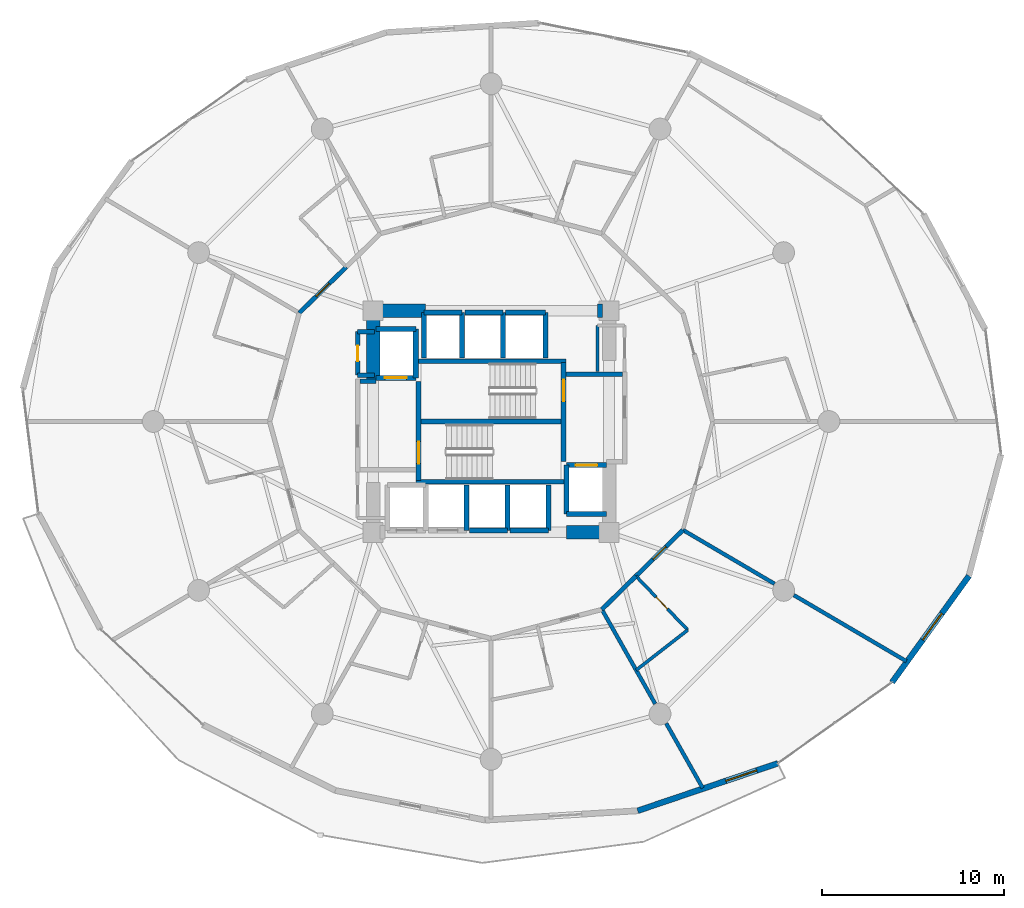
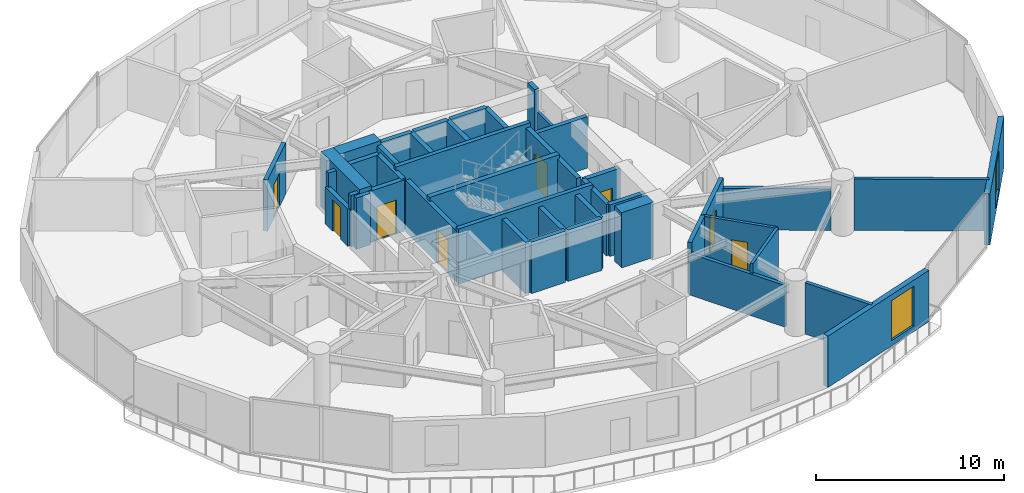
# One storey, part 21 of 26: 44 walls, 8 doors, 2 windows, 10 openings.
"""IFC4 building model written with IfcOpenShell, lengths in metres."""

from ifc_helpers import new_model, si_unit, direction, frame, frame_2d, origin, place, context, subcontext, project, spatial, rectangle, extrude, material, layer, layer_set, type_object, element, fill, save


model = new_model("IFC4")

# Units and contexts
model_context = context("Model", 3, precision=1e-05, world=origin(), true_north=direction((0.0, 1.0)))
body_context = subcontext(model_context, "Body", "Model", "MODEL_VIEW")
ifc_project = project(units=[si_unit("LENGTHUNIT", "METRE"), si_unit("AREAUNIT", "SQUARE_METRE"), si_unit("VOLUMEUNIT", "CUBIC_METRE"), si_unit("PLANEANGLEUNIT", "RADIAN"), si_unit("MASSUNIT", "GRAM", prefix="KILO")], contexts=[model_context])

# Site, building, storey
site_placement = place(None, origin())
site = spatial("IfcSite", under=ifc_project, at=site_placement, CompositionType="ELEMENT")
building_placement = place(site_placement, origin())
building = spatial("IfcBuilding", under=site, at=building_placement, Name="Solvirekh Grand Hotel", CompositionType="ELEMENT")
storey_placement = place(building_placement, frame((0.0, 0.0, 35.60009765625)))
storey = spatial("IfcBuildingStorey", under=building, at=storey_placement, Name="L07", CompositionType="ELEMENT", Elevation=35.60009765625)

# Walls
ifc_material_1 = material(Name="Concrete C50/60", Category="concrete")
ifc_layer_1 = layer(ifc_material_1, 0.35009765625)
ifc_layer_set_1 = layer_set([ifc_layer_1], Name="Concrete C50/60")
wall_type_1 = type_object("IfcWallType", Name="CoreDivWall_RC350", PredefinedType="SOLIDWALL", material=ifc_layer_set_1)
for number, where, z_axis, x_axis, name in (
    (1, (-4.1298828125, -3.324951171875, 0.0), (0.0, 0.0, 1.0), (1.0, 0.0, 0.0), "L07 core stair box wall ST-S"),
    (2, (-4.1298828125, 3.324951171875, 0.0), (0.0, 0.0, 1.0), (1.0, 0.0, 0.0), "L07 core stair box wall ST-N"),
):
    element("IfcWall", number, at=place(storey_placement, frame(where, z_axis=z_axis, x_axis=x_axis)), inside=storey, type_object=wall_type_1, Name=name, PredefinedType="SOLIDWALL", context=body_context, shape_type="SweptSolid", body=[
        extrude(rectangle(XDim=8.259765625, YDim=0.25, at=frame_2d((4.1298828125, 0.0))), origin(), (0.0, 0.0, 1.0), 3.599853515625),
    ])
ifc_material_2 = material(Name="Concrete C40/50", Category="concrete")
ifc_layer_2 = layer(ifc_material_2, 0.280029296875)
ifc_layer_set_2 = layer_set([ifc_layer_2], Name="Concrete C40/50")
wall_type_2 = type_object("IfcWallType", Name="CoreShaftWall_RC280", PredefinedType="SOLIDWALL", material=ifc_layer_set_2)
wall_1_placement = place(storey_placement, frame((-1.35009765625, -6.0, 0.0), z_axis=(0.0, 0.0, 1.0), x_axis=(0.0, 1.0, 0.0)))
element("IfcWall", 3, at=wall_1_placement, inside=storey, type_object=wall_type_2, Name="L07 LP-2 hoistway E wall", PredefinedType="SOLIDWALL", context=body_context, shape_type="SweptSolid", body=[
    extrude(rectangle(XDim=2.5, YDim=0.280029296875, at=frame_2d((1.25, 0.0))), origin(), (0.0, 0.0, 1.0), 3.33984375),
])
wall_2_placement = place(storey_placement, frame((-1.199951171875, -6.0, 0.0), z_axis=(0.0, 0.0, 1.0), x_axis=(1.0, 0.0, 0.0)))
element("IfcWall", 4, at=wall_2_placement, inside=storey, type_object=wall_type_2, Name="L07 MP-1 hoistway S wall", PredefinedType="SOLIDWALL", context=body_context, shape_type="SweptSolid", body=[
    extrude(rectangle(XDim=2.099853515625, YDim=0.280029296875, at=frame_2d((1.0498046875, 0.0))), origin(), (0.0, 0.0, 1.0), 3.33984375),
])
wall_3_placement = place(storey_placement, frame((0.89990234375, -6.0, 0.0), z_axis=(0.0, 0.0, 1.0), x_axis=(0.0, 1.0, 0.0)))
element("IfcWall", 5, at=wall_3_placement, inside=storey, type_object=wall_type_2, Name="L07 MP-1 hoistway E wall", PredefinedType="SOLIDWALL", context=body_context, shape_type="SweptSolid", body=[
    extrude(rectangle(XDim=2.5, YDim=0.280029296875, at=frame_2d((1.25, 0.0))), origin(), (0.0, 0.0, 1.0), 3.33984375),
])
wall_4_placement = place(storey_placement, frame((1.050048828125, -6.0, 0.0), z_axis=(0.0, 0.0, 1.0), x_axis=(1.0, 0.0, 0.0)))
element("IfcWall", 6, at=wall_4_placement, inside=storey, type_object=wall_type_2, Name="L07 MP-2 hoistway S wall", PredefinedType="SOLIDWALL", context=body_context, shape_type="SweptSolid", body=[
    extrude(rectangle(XDim=2.099853515625, YDim=0.280029296875, at=frame_2d((1.0498046875, 0.0))), origin(), (0.0, 0.0, 1.0), 3.33984375),
])
wall_5_placement = place(storey_placement, frame((3.14990234375, -6.0, 0.0), z_axis=(0.0, 0.0, 1.0), x_axis=(0.0, 1.0, 0.0)))
element("IfcWall", 7, at=wall_5_placement, inside=storey, type_object=wall_type_2, Name="L07 MP-2 hoistway E wall", PredefinedType="SOLIDWALL", context=body_context, shape_type="SweptSolid", body=[
    extrude(rectangle(XDim=2.5, YDim=0.280029296875, at=frame_2d((1.25, 0.0))), origin(), (0.0, 0.0, 1.0), 3.33984375),
])
wall_6_placement = place(storey_placement, frame((-1.60009765625, 6.0, 0.0), z_axis=(0.0, 0.0, 1.0), x_axis=(-1.0, 0.0, 0.0)))
element("IfcWall", 8, at=wall_6_placement, inside=storey, type_object=wall_type_2, Name="L07 HP-1 hoistway N wall", PredefinedType="SOLIDWALL", context=body_context, shape_type="SweptSolid", body=[
    extrude(rectangle(XDim=2.099853515625, YDim=0.280029296875, at=frame_2d((1.0498046875, 0.0))), origin(), (0.0, 0.0, 1.0), 3.33984375),
])
for number, where, z_axis, x_axis, name in (
    (9, (-3.699951171875, 6.0, 0.0), (0.0, 0.0, 1.0), (0.0, -1.0, 0.0), "L07 HP-1 hoistway W wall"),
    (10, (-1.60009765625, 3.5, 0.0), (0.0, 0.0, 1.0), (0.0, 1.0, 0.0), "L07 HP-1 hoistway E wall"),
):
    element("IfcWall", number, at=place(storey_placement, frame(where, z_axis=z_axis, x_axis=x_axis)), inside=storey, type_object=wall_type_2, Name=name, PredefinedType="SOLIDWALL", context=body_context, shape_type="SweptSolid", body=[
        extrude(rectangle(XDim=2.5, YDim=0.280029296875, at=frame_2d((1.25, 0.0))), origin(), (0.0, 0.0, 1.0), 3.33984375),
    ])
wall_7_placement = place(storey_placement, frame((0.64990234375, 6.0, 0.0), z_axis=(0.0, 0.0, 1.0), x_axis=(-1.0, 0.0, 0.0)))
element("IfcWall", 11, at=wall_7_placement, inside=storey, type_object=wall_type_2, Name="L07 HP-2 hoistway N wall", PredefinedType="SOLIDWALL", context=body_context, shape_type="SweptSolid", body=[
    extrude(rectangle(XDim=2.099853515625, YDim=0.280029296875, at=frame_2d((1.0498046875, 0.0))), origin(), (0.0, 0.0, 1.0), 3.33984375),
])
wall_8_placement = place(storey_placement, frame((0.64990234375, 3.5, 0.0), z_axis=(0.0, 0.0, 1.0), x_axis=(0.0, 1.0, 0.0)))
element("IfcWall", 12, at=wall_8_placement, inside=storey, type_object=wall_type_2, Name="L07 HP-2 hoistway E wall", PredefinedType="SOLIDWALL", context=body_context, shape_type="SweptSolid", body=[
    extrude(rectangle(XDim=2.5, YDim=0.280029296875, at=frame_2d((1.25, 0.0))), origin(), (0.0, 0.0, 1.0), 3.33984375),
])
wall_9_placement = place(storey_placement, frame((3.0, 6.0, 0.0), z_axis=(0.0, 0.0, 1.0), x_axis=(-1.0, 0.0, 0.0)))
element("IfcWall", 13, at=wall_9_placement, inside=storey, type_object=wall_type_2, Name="L07 EX-1 hoistway N wall", PredefinedType="SOLIDWALL", context=body_context, shape_type="SweptSolid", body=[
    extrude(rectangle(XDim=2.199951171875, YDim=0.280029296875, at=frame_2d((1.10009765625, 0.0))), origin(), (0.0, 0.0, 1.0), 3.33984375),
])
wall_10_placement = place(storey_placement, frame((3.0, 3.5, 0.0), z_axis=(0.0, 0.0, 1.0), x_axis=(0.0, 1.0, 0.0)))
element("IfcWall", 14, at=wall_10_placement, inside=storey, type_object=wall_type_2, Name="L07 EX-1 hoistway E wall", PredefinedType="SOLIDWALL", context=body_context, shape_type="SweptSolid", body=[
    extrude(rectangle(XDim=2.5, YDim=0.280029296875, at=frame_2d((1.25, 0.0))), origin(), (0.0, 0.0, 1.0), 3.33984375),
])

# Wall, opening, door
wall_11_placement = place(storey_placement, frame((-6.35009765625, 2.39990234375, 0.0), z_axis=(0.0, 0.0, 1.0), x_axis=(1.0, 0.0, 0.0)))
wall_11 = element("IfcWall", 15, at=wall_11_placement, inside=storey, type_object=wall_type_2, Name="L07 FL-1 hoistway S wall", PredefinedType="SOLIDWALL", context=body_context, shape_type="SweptSolid", body=[
    extrude(rectangle(XDim=2.2001953125, YDim=0.280029296875, at=frame_2d((1.10009765625, 0.0))), origin(), (0.0, 0.0, 1.0), 3.33984375),
])
opening_1_placement = place(wall_11_placement, frame((0.5, 0.0, 0.0)))
opening_1 = element("IfcOpeningElement", 16, at=opening_1_placement, cuts=wall_11, Name="Opening LD02", PredefinedType="OPENING", context=body_context, shape_type="SweptSolid", body=[
    extrude(rectangle(XDim=1.199951171875, YDim=2.199951171875, at=frame_2d((0.60009765625, 1.10009765625))), frame((0.0, 0.14990234375, 0.0), z_axis=(0.0, -1.0, 0.0), x_axis=(1.0, 0.0, 0.0)), (0.0, 0.0, 1.0), 0.300048828125),
])
ifc_material_3 = material(Name="Fire-Rated Steel Door Assembly", Category="steel")
door_type_1 = type_object("IfcDoorType", Name="Door_LiftFF_1200X2200", OperationType="SLIDING_TO_LEFT", PredefinedType="DOOR", material=ifc_material_3)
door_1_placement = place(opening_1_placement, origin())
door_1 = element("IfcDoor", 17, at=door_1_placement, inside=storey, type_object=door_type_1, Name="L07 FL-1 sliding lift landing door", OperationType="SLIDING_TO_LEFT", OverallHeight=2.199951171875, OverallWidth=1.199951171875, PredefinedType="DOOR", context=body_context, shape_type="SweptSolid", body=[
    extrude(rectangle(XDim=1.199951171875, YDim=2.199951171875, at=frame_2d((0.60009765625, 1.10009765625))), frame((0.0, 0.02490234375, 0.0), z_axis=(0.0, -1.0, 0.0), x_axis=(1.0, 0.0, 0.0)), (0.0, 0.0, 1.0), 0.050048828125),
])
fill(opening_1, door_1)

# Walls
wall_12_placement = place(storey_placement, frame((-4.14990234375, 5.10009765625, 0.0), z_axis=(0.0, 0.0, 1.0), x_axis=(-1.0, 0.0, 0.0)))
element("IfcWall", 18, at=wall_12_placement, inside=storey, type_object=wall_type_2, Name="L07 FL-1 hoistway N wall", PredefinedType="SOLIDWALL", context=body_context, shape_type="SweptSolid", body=[
    extrude(rectangle(XDim=2.2001953125, YDim=0.280029296875, at=frame_2d((1.10009765625, 0.0))), origin(), (0.0, 0.0, 1.0), 3.33984375),
])
wall_13_placement = place(storey_placement, frame((-4.14990234375, 2.39990234375, 0.0), z_axis=(0.0, 0.0, 1.0), x_axis=(0.0, 1.0, 0.0)))
element("IfcWall", 19, at=wall_13_placement, inside=storey, type_object=wall_type_2, Name="L07 FL-1 hoistway E wall", PredefinedType="SOLIDWALL", context=body_context, shape_type="SweptSolid", body=[
    extrude(rectangle(XDim=2.7001953125, YDim=0.280029296875, at=frame_2d((1.35009765625, 0.0))), origin(), (0.0, 0.0, 1.0), 3.33984375),
])
wall_14_placement = place(storey_placement, frame((4.14990234375, -5.10009765625, 0.0), z_axis=(0.0, 0.0, 1.0), x_axis=(1.0, 0.0, 0.0)))
element("IfcWall", 20, at=wall_14_placement, inside=storey, type_object=wall_type_2, Name="L07 FL-2 hoistway S wall", PredefinedType="SOLIDWALL", context=body_context, shape_type="SweptSolid", body=[
    extrude(rectangle(XDim=2.2001953125, YDim=0.280029296875, at=frame_2d((1.10009765625, 0.0))), origin(), (0.0, 0.0, 1.0), 3.33984375),
])

# Wall, opening, door
wall_15_placement = place(storey_placement, frame((6.35009765625, -2.39990234375, 0.0), z_axis=(0.0, 0.0, 1.0), x_axis=(-1.0, 0.0, 0.0)))
wall_15 = element("IfcWall", 21, at=wall_15_placement, inside=storey, type_object=wall_type_2, Name="L07 FL-2 hoistway N wall", PredefinedType="SOLIDWALL", context=body_context, shape_type="SweptSolid", body=[
    extrude(rectangle(XDim=2.2001953125, YDim=0.280029296875, at=frame_2d((1.10009765625, 0.0))), origin(), (0.0, 0.0, 1.0), 3.33984375),
])
opening_2_placement = place(wall_15_placement, frame((0.5, 0.0, 0.0)))
opening_2 = element("IfcOpeningElement", 22, at=opening_2_placement, cuts=wall_15, Name="Opening LD02", PredefinedType="OPENING", context=body_context, shape_type="SweptSolid", body=[
    extrude(rectangle(XDim=1.199951171875, YDim=2.199951171875, at=frame_2d((0.60009765625, 1.10009765625))), frame((0.0, 0.14990234375, 0.0), z_axis=(0.0, -1.0, 0.0), x_axis=(1.0, 0.0, 0.0)), (0.0, 0.0, 1.0), 0.300048828125),
])
door_2_placement = place(opening_2_placement, origin())
door_2 = element("IfcDoor", 23, at=door_2_placement, inside=storey, type_object=door_type_1, Name="L07 FL-2 sliding lift landing door", OperationType="SLIDING_TO_LEFT", OverallHeight=2.199951171875, OverallWidth=1.199951171875, PredefinedType="DOOR", context=body_context, shape_type="SweptSolid", body=[
    extrude(rectangle(XDim=1.199951171875, YDim=2.199951171875, at=frame_2d((0.60009765625, 1.10009765625))), frame((0.0, 0.02490234375, 0.0), z_axis=(0.0, -1.0, 0.0), x_axis=(1.0, 0.0, 0.0)), (0.0, 0.0, 1.0), 0.050048828125),
])
fill(opening_2, door_2)

# Wall
wall_16_placement = place(storey_placement, frame((4.14990234375, -2.39990234375, 0.0), z_axis=(0.0, 0.0, 1.0), x_axis=(0.0, -1.0, 0.0)))
element("IfcWall", 24, at=wall_16_placement, inside=storey, type_object=wall_type_2, Name="L07 FL-2 hoistway W wall", PredefinedType="SOLIDWALL", context=body_context, shape_type="SweptSolid", body=[
    extrude(rectangle(XDim=2.7001953125, YDim=0.280029296875, at=frame_2d((1.35009765625, 0.0))), origin(), (0.0, 0.0, 1.0), 3.33984375),
])

# Wall, opening, door
wall_17_placement = place(storey_placement, frame((-3.989990234375, -3.25, 0.0), z_axis=(0.0, 0.0, 1.0), x_axis=(0.0, 1.0, 0.0)))
wall_17 = element("IfcWall", 25, at=wall_17_placement, inside=storey, type_object=wall_type_2, Name="L07 west stair landing enclosure wall", PredefinedType="SOLIDWALL", context=body_context, shape_type="SweptSolid", body=[
    extrude(rectangle(XDim=5.4599609375, YDim=0.280029296875, at=frame_2d((2.72998046875, 0.0))), origin(), (0.0, 0.0, 1.0), 3.33984375),
])
opening_3_placement = place(wall_17_placement, frame((0.93701171875, 0.0, 0.0)))
opening_3 = element("IfcOpeningElement", 26, at=opening_3_placement, cuts=wall_17, Name="Opening D05", PredefinedType="OPENING", context=body_context, shape_type="SweptSolid", body=[
    extrude(rectangle(XDim=1.199951171875, YDim=2.199951171875, at=frame_2d((0.60009765625, 1.10009765625))), frame((0.0, 0.14990234375, 0.0), z_axis=(0.0, -1.0, 0.0), x_axis=(1.0, 0.0, 0.0)), (0.0, 0.0, 1.0), 0.300048828125),
])
door_type_2 = type_object("IfcDoorType", Name="Door_StairCore_1200X2200", OperationType="NOTDEFINED", PredefinedType="DOOR", material=ifc_material_3)
door_3_placement = place(opening_3_placement, origin())
door_3 = element("IfcDoor", 27, at=door_3_placement, inside=storey, type_object=door_type_2, Name="L07 exit stair ST-1 fire door", OperationType="SINGLE_SWING_RIGHT", OverallHeight=2.199951171875, OverallWidth=1.199951171875, PredefinedType="DOOR", context=body_context, shape_type="SweptSolid", body=[
    extrude(rectangle(XDim=1.199951171875, YDim=2.199951171875, at=frame_2d((0.60009765625, 1.10009765625))), frame((0.0, 0.02490234375, 0.0), z_axis=(0.0, -1.0, 0.0), x_axis=(1.0, 0.0, 0.0)), (0.0, 0.0, 1.0), 0.050048828125),
])
fill(opening_3, door_3)

wall_18_placement = place(storey_placement, frame((3.989990234375, -2.2099609375, 0.0), z_axis=(0.0, 0.0, 1.0), x_axis=(0.0, 1.0, 0.0)))
wall_18 = element("IfcWall", 28, at=wall_18_placement, inside=storey, type_object=wall_type_2, Name="L07 east stair landing enclosure wall", PredefinedType="SOLIDWALL", context=body_context, shape_type="SweptSolid", body=[
    extrude(rectangle(XDim=5.4599609375, YDim=0.280029296875, at=frame_2d((2.72998046875, 0.0))), origin(), (0.0, 0.0, 1.0), 3.33984375),
])
opening_4_placement = place(wall_18_placement, frame((3.322998046875, 0.0, 0.0)))
opening_4 = element("IfcOpeningElement", 29, at=opening_4_placement, cuts=wall_18, Name="Opening D05", PredefinedType="OPENING", context=body_context, shape_type="SweptSolid", body=[
    extrude(rectangle(XDim=1.199951171875, YDim=2.199951171875, at=frame_2d((0.60009765625, 1.10009765625))), frame((0.0, 0.14990234375, 0.0), z_axis=(0.0, -1.0, 0.0), x_axis=(1.0, 0.0, 0.0)), (0.0, 0.0, 1.0), 0.300048828125),
])
door_4_placement = place(opening_4_placement, origin())
door_4 = element("IfcDoor", 30, at=door_4_placement, inside=storey, type_object=door_type_2, Name="L07 exit stair ST-2 fire door", OperationType="SINGLE_SWING_LEFT", OverallHeight=2.199951171875, OverallWidth=1.199951171875, PredefinedType="DOOR", context=body_context, shape_type="SweptSolid", body=[
    extrude(rectangle(XDim=1.199951171875, YDim=2.199951171875, at=frame_2d((0.60009765625, 1.10009765625))), frame((0.0, 0.02490234375, 0.0), z_axis=(0.0, -1.0, 0.0), x_axis=(1.0, 0.0, 0.0)), (0.0, 0.0, 1.0), 0.050048828125),
])
fill(opening_4, door_4)

# Walls
ifc_material_4 = material(Name="Concrete C60/75", Category="concrete")
ifc_layer_3 = layer(ifc_material_4, 0.75)
ifc_layer_set_3 = layer_set([ifc_layer_3], Name="Concrete C60/75")
wall_type_3 = type_object("IfcWallType", Name="CoreWall_RC750", PredefinedType="SHEAR", material=ifc_layer_set_3)
wall_19_placement = place(storey_placement, frame((-3.989990234375, 0.0, 0.0), z_axis=(0.0, 0.0, 1.0), x_axis=(1.0, 0.0, 0.0)))
element("IfcWall", 31, at=wall_19_placement, inside=storey, type_object=wall_type_3, Name="L07 central stair-spine shear wall", PredefinedType="SHEAR", context=body_context, shape_type="SweptSolid", body=[
    extrude(rectangle(XDim=7.97998046875, YDim=0.300048828125, at=frame_2d((3.989990234375, 0.0))), origin(), (0.0, 0.0, 1.0), 3.599853515625),
])
wall_20_placement = place(storey_placement, frame((4.14990234375, -6.10009765625, 0.0), z_axis=(0.0, 0.0, 1.0), x_axis=(1.0, 0.0, 0.0)))
element("IfcWall", 32, at=wall_20_placement, inside=storey, type_object=wall_type_3, Name="L07 core corner shear wall SE-S", PredefinedType="SHEAR", context=body_context, shape_type="SweptSolid", body=[
    extrude(rectangle(XDim=1.97509765625, YDim=0.75, at=frame_2d((0.987548828125, 0.0))), origin(), (0.0, 0.0, 1.0), 3.599853515625),
])
wall_21_placement = place(storey_placement, frame((-6.125, 6.10009765625, 0.0), z_axis=(0.0, 0.0, 1.0), x_axis=(1.0, 0.0, 0.0)))
element("IfcWall", 33, at=wall_21_placement, inside=storey, type_object=wall_type_3, Name="L07 core corner shear wall NW-N", PredefinedType="SHEAR", context=body_context, shape_type="SweptSolid", body=[
    extrude(rectangle(XDim=2.52490234375, YDim=0.75, at=frame_2d((1.262451171875, 0.0))), origin(), (0.0, 0.0, 1.0), 3.599853515625),
])
wall_22_placement = place(storey_placement, frame((5.85009765625, 6.10009765625, 0.0), z_axis=(0.0, 0.0, 1.0), x_axis=(1.0, 0.0, 0.0)))
element("IfcWall", 34, at=wall_22_placement, inside=storey, type_object=wall_type_3, Name="L07 core corner shear wall NE-N", PredefinedType="SHEAR", context=body_context, shape_type="SweptSolid", body=[
    extrude(rectangle(XDim=0.27490234375, YDim=0.75, at=frame_2d((0.137451171875, 0.0))), origin(), (0.0, 0.0, 1.0), 3.599853515625),
])
wall_23_placement = place(storey_placement, frame((-6.5, 2.35009765625, 0.0), z_axis=(0.0, 0.0, 1.0), x_axis=(0.0, 1.0, 0.0)))
element("IfcWall", 35, at=wall_23_placement, inside=storey, type_object=wall_type_3, Name="L07 core corner shear wall WN-W", PredefinedType="SHEAR", context=body_context, shape_type="SweptSolid", body=[
    extrude(rectangle(XDim=4.125, YDim=0.75, at=frame_2d((2.0625, 0.0))), origin(), (0.0, 0.0, 1.0), 3.599853515625),
])

# Wall, opening, window
ifc_material_5 = material(Name="Precast concrete C45/55", Category="concrete")
ifc_layer_4 = layer(ifc_material_5, 0.320068359375)
ifc_layer_set_4 = layer_set([ifc_layer_4], Name="Precast concrete C45/55")
wall_type_4 = type_object("IfcWallType", Name="ExtLobbyWall_RC320", PredefinedType="SOLIDWALL", material=ifc_layer_set_4)
wall_24_placement = place(storey_placement, frame((15.79296875, -18.821044921875, 0.0), z_axis=(0.0, 0.0, 1.0), x_axis=(-0.94717495877, -0.320717317085, 0.0)))
wall_24 = element("IfcWall", 36, at=wall_24_placement, inside=storey, type_object=wall_type_4, Name="L07 exterior structural wall chord 17", PredefinedType="SOLIDWALL", context=body_context, shape_type="SweptSolid", body=[
    extrude(rectangle(XDim=8.150634765625, YDim=0.320068359375, at=frame_2d((4.0751953125, 0.0))), origin(), (0.0, 0.0, 1.0), 3.33984375),
])
opening_5_placement = place(wall_24_placement, frame((1.22900390625, 0.0, 0.35009765625)))
opening_5 = element("IfcOpeningElement", 37, at=opening_5_placement, cuts=wall_24, Name="Opening W02", PredefinedType="OPENING", context=body_context, shape_type="SweptSolid", body=[
    extrude(rectangle(XDim=1.800048828125, YDim=2.60009765625, at=frame_2d((0.89990234375, 1.300048828125))), frame((0.0, 0.169921875, 0.0), z_axis=(0.0, -1.0, 0.0), x_axis=(1.0, 0.0, 0.0)), (0.0, 0.0, 1.0), 0.340087890625),
])
ifc_material_6 = material(Name="Low-E Tinted Bronze Laminated Glass", Category="aluminium")
window_type = type_object("IfcWindowType", Name="Win_LobbyExt_1800X2600", PartitioningType="SINGLE_PANEL", PredefinedType="WINDOW", material=ifc_material_6)
window_1_placement = place(opening_5_placement, origin())
window_1 = element("IfcWindow", 38, at=window_1_placement, inside=storey, type_object=window_type, Name="L07 panoramic bronze-framed window 17", OverallHeight=2.60009765625, OverallWidth=1.800048828125, PartitioningType="SINGLE_PANEL", PredefinedType="WINDOW", context=body_context, shape_type="SweptSolid", body=[
    extrude(rectangle(XDim=1.800048828125, YDim=2.60009765625, at=frame_2d((0.89990234375, 1.300048828125))), frame((0.0, 0.030029296875, 0.0), z_axis=(0.0, -1.0, 0.0), x_axis=(1.0, 0.0, 0.0)), (0.0, 0.0, 1.0), 0.06005859375),
])
fill(opening_5, window_1)

wall_25_placement = place(storey_placement, frame((26.31591796875, -8.5029296875, 0.0), z_axis=(0.0, 0.0, 1.0), x_axis=(-0.585883584877, -0.810395227634, 0.0)))
wall_25 = element("IfcWall", 39, at=wall_25_placement, inside=storey, type_object=wall_type_4, Name="L07 exterior structural wall chord 19", PredefinedType="SOLIDWALL", context=body_context, shape_type="SweptSolid", body=[
    extrude(rectangle(XDim=7.233642578125, YDim=0.320068359375, at=frame_2d((3.61669921875, 0.0))), origin(), (0.0, 0.0, 1.0), 3.33984375),
])
opening_6_placement = place(wall_25_placement, frame((2.544921875, 0.0, 0.35009765625)))
opening_6 = element("IfcOpeningElement", 40, at=opening_6_placement, cuts=wall_25, Name="Opening W02", PredefinedType="OPENING", context=body_context, shape_type="SweptSolid", body=[
    extrude(rectangle(XDim=1.800048828125, YDim=2.60009765625, at=frame_2d((0.89990234375, 1.300048828125))), frame((0.0, 0.169921875, 0.0), z_axis=(0.0, -1.0, 0.0), x_axis=(1.0, 0.0, 0.0)), (0.0, 0.0, 1.0), 0.340087890625),
])
window_2_placement = place(opening_6_placement, origin())
window_2 = element("IfcWindow", 41, at=window_2_placement, inside=storey, type_object=window_type, Name="L07 panoramic bronze-framed window 19", OverallHeight=2.60009765625, OverallWidth=1.800048828125, PartitioningType="SINGLE_PANEL", PredefinedType="WINDOW", context=body_context, shape_type="SweptSolid", body=[
    extrude(rectangle(XDim=1.800048828125, YDim=2.60009765625, at=frame_2d((0.89990234375, 1.300048828125))), frame((0.0, 0.030029296875, 0.0), z_axis=(0.0, -1.0, 0.0), x_axis=(1.0, 0.0, 0.0)), (0.0, 0.0, 1.0), 0.06005859375),
])
fill(opening_6, window_2)

# Wall
ifc_material_7 = material(Name="Acoustic Gypsum Partition Assembly")
ifc_layer_5 = layer(ifc_material_7, 0.1650390625)
ifc_layer_set_5 = layer_set([ifc_layer_5], Name="Acoustic Gypsum Partition Assembly")
wall_type_5 = type_object("IfcWallType", Name="Part_BOH_165", PredefinedType="PARTITIONING", material=ifc_layer_set_5)
wall_26_placement = place(storey_placement, frame((5.85009765625, 5.300048828125, 0.0), z_axis=(0.0, 0.0, 1.0), x_axis=(0.0, -1.0, 0.0)))
element("IfcWall", 42, at=wall_26_placement, inside=storey, type_object=wall_type_5, Name="L07 L07 Telecom Distribution Room wall 4", PredefinedType="PARTITIONING", context=body_context, shape_type="SweptSolid", body=[
    extrude(rectangle(XDim=2.550048828125, YDim=0.1650390625, at=frame_2d((1.27490234375, 0.0))), origin(), (0.0, 0.0, 1.0), 2.4248046875),
])

# Wall, opening, door
ifc_layer_6 = layer(ifc_material_7, 0.239990234375)
ifc_layer_set_6 = layer_set([ifc_layer_6], Name="Acoustic Gypsum Partition Assembly")
wall_type_6 = type_object("IfcWallType", Name="Part_Corridor_240", PredefinedType="PARTITIONING", material=ifc_layer_set_6)
wall_27_placement = place(storey_placement, frame((-7.97607421875, 8.511962890625, 0.0), z_axis=(0.0, 0.0, 1.0), x_axis=(-0.714375756875, -0.699762301064, 0.0)))
wall_27 = element("IfcWall", 43, at=wall_27_placement, inside=storey, type_object=wall_type_6, Name="L07 Deluxe Guestroom 0904 entrance wall", PredefinedType="PARTITIONING", context=body_context, shape_type="SweptSolid", body=[
    extrude(rectangle(XDim=3.625244140625, YDim=0.239990234375, at=frame_2d((1.8125, 0.0))), origin(), (0.0, 0.0, 1.0), 3.33984375),
])
opening_7_placement = place(wall_27_placement, frame((1.31298828125, 0.0, 0.0)))
opening_7 = element("IfcOpeningElement", 44, at=opening_7_placement, cuts=wall_27, Name="Opening D07", PredefinedType="OPENING", context=body_context, shape_type="SweptSolid", body=[
    extrude(rectangle(XDim=1.0, YDim=2.199951171875, at=frame_2d((0.5, 1.10009765625))), frame((0.0, 0.1298828125, 0.0), z_axis=(0.0, -1.0, 0.0), x_axis=(1.0, 0.0, 0.0)), (0.0, 0.0, 1.0), 0.260009765625),
])
door_type_3 = type_object("IfcDoorType", Name="Door_GuestEntry_1000X2200", OperationType="NOTDEFINED", PredefinedType="DOOR", material=ifc_material_3)
door_5_placement = place(opening_7_placement, origin())
door_5 = element("IfcDoor", 45, at=door_5_placement, inside=storey, type_object=door_type_3, Name="L07 Deluxe Guestroom 0904 entrance door", OperationType="SINGLE_SWING_RIGHT", OverallHeight=2.199951171875, OverallWidth=1.0, PredefinedType="DOOR", context=body_context, shape_type="SweptSolid", body=[
    extrude(rectangle(XDim=1.0, YDim=2.199951171875, at=frame_2d((0.5, 1.10009765625))), frame((0.0, 0.02490234375, 0.0), z_axis=(0.0, -1.0, 0.0), x_axis=(1.0, 0.0, 0.0)), (0.0, 0.0, 1.0), 0.050048828125),
])
fill(opening_7, door_5)

# Wall
wall_28_placement = place(storey_placement, frame((6.10009765625, -10.34912109375, 0.0), z_axis=(0.0, 0.0, 1.0), x_axis=(0.714460071513, 0.69967621527, 0.0)))
element("IfcWall", 46, at=wall_28_placement, inside=storey, type_object=wall_type_6, Name="L07 En-suite Bathroom 0910 corridor backing wall", PredefinedType="PARTITIONING", context=body_context, shape_type="SweptSolid", body=[
    extrude(rectangle(XDim=2.625732421875, YDim=0.239990234375, at=frame_2d((1.31298828125, 0.0))), origin(), (0.0, 0.0, 1.0), 3.33984375),
])

# Wall, opening, door
wall_29_placement = place(storey_placement, frame((7.97607421875, -8.511962890625, 0.0), z_axis=(0.0, 0.0, 1.0), x_axis=(0.714375756875, 0.699762301064, 0.0)))
wall_29 = element("IfcWall", 47, at=wall_29_placement, inside=storey, type_object=wall_type_6, Name="L07 Deluxe Guestroom 0910 entrance wall", PredefinedType="PARTITIONING", context=body_context, shape_type="SweptSolid", body=[
    extrude(rectangle(XDim=3.625244140625, YDim=0.239990234375, at=frame_2d((1.8125, 0.0))), origin(), (0.0, 0.0, 1.0), 3.33984375),
])
opening_8_placement = place(wall_29_placement, frame((1.31298828125, 0.0, 0.0)))
opening_8 = element("IfcOpeningElement", 48, at=opening_8_placement, cuts=wall_29, Name="Opening D07", PredefinedType="OPENING", context=body_context, shape_type="SweptSolid", body=[
    extrude(rectangle(XDim=1.0, YDim=2.199951171875, at=frame_2d((0.5, 1.10009765625))), frame((0.0, 0.1298828125, 0.0), z_axis=(0.0, -1.0, 0.0), x_axis=(1.0, 0.0, 0.0)), (0.0, 0.0, 1.0), 0.260009765625),
])
door_6_placement = place(opening_8_placement, origin())
door_6 = element("IfcDoor", 49, at=door_6_placement, inside=storey, type_object=door_type_3, Name="L07 Deluxe Guestroom 0910 entrance door", OperationType="SINGLE_SWING_RIGHT", OverallHeight=2.199951171875, OverallWidth=1.0, PredefinedType="DOOR", context=body_context, shape_type="SweptSolid", body=[
    extrude(rectangle(XDim=1.0, YDim=2.199951171875, at=frame_2d((0.5, 1.10009765625))), frame((0.0, 0.02490234375, 0.0), z_axis=(0.0, -1.0, 0.0), x_axis=(1.0, 0.0, 0.0)), (0.0, 0.0, 1.0), 0.050048828125),
])
fill(opening_8, door_6)

# Walls
ifc_layer_7 = layer(ifc_material_7, 0.260009765625)
ifc_layer_set_7 = layer_set([ifc_layer_7], Name="Acoustic Gypsum Partition Assembly")
wall_type_7 = type_object("IfcWallType", Name="Part_LobbyFF_260", PredefinedType="PARTITIONING", material=ifc_layer_set_7)
wall_30_placement = place(storey_placement, frame((-7.22509765625, 2.2099609375, 0.0), z_axis=(0.0, 0.0, 1.0), x_axis=(1.0, 0.0, 0.0)))
element("IfcWall", 50, at=wall_30_placement, inside=storey, type_object=wall_type_7, Name="L07 west firefighting lobby NW cheek", PredefinedType="PARTITIONING", context=body_context, shape_type="SweptSolid", body=[
    extrude(rectangle(XDim=0.875, YDim=0.260009765625, at=frame_2d((0.4375, 0.0))), origin(), (0.0, 0.0, 1.0), 3.33984375),
])
wall_31_placement = place(storey_placement, frame((4.1298828125, 2.60009765625, 0.0), z_axis=(0.0, 0.0, 1.0), x_axis=(1.0, 0.0, 0.0)))
element("IfcWall", 51, at=wall_31_placement, inside=storey, type_object=wall_type_7, Name="L07 east firefighting lobby north partition", PredefinedType="PARTITIONING", context=body_context, shape_type="SweptSolid", body=[
    extrude(rectangle(XDim=3.09521484375, YDim=0.260009765625, at=frame_2d((1.547607421875, 0.0))), origin(), (0.0, 0.0, 1.0), 3.33984375),
])
for number, where, z_axis, x_axis, name in (
    (52, (-7.35009765625, 4.949951171875, 0.0), (0.0, 0.0, 1.0), (1.0, 0.0, 0.0), "L07 NW telecom metering cupboard north wall"),
    (53, (-7.35009765625, 2.550048828125, 0.0), (0.0, 0.0, 1.0), (1.0, 0.0, 0.0), "L07 NW telecom metering cupboard south wall"),
):
    element("IfcWall", number, at=place(storey_placement, frame(where, z_axis=z_axis, x_axis=x_axis)), inside=storey, type_object=wall_type_7, Name=name, PredefinedType="PARTITIONING", context=body_context, shape_type="SweptSolid", body=[
        extrude(rectangle(XDim=0.93017578125, YDim=0.260009765625, at=frame_2d((0.465087890625, 0.0))), origin(), (0.0, 0.0, 1.0), 3.33984375),
    ])

# Wall, opening, door
wall_32_placement = place(storey_placement, frame((-7.35009765625, 2.550048828125, 0.0), z_axis=(0.0, 0.0, 1.0), x_axis=(0.0, 1.0, 0.0)))
wall_32 = element("IfcWall", 54, at=wall_32_placement, inside=storey, type_object=wall_type_7, Name="L07 NW telecom metering cupboard access wall", PredefinedType="PARTITIONING", context=body_context, shape_type="SweptSolid", body=[
    extrude(rectangle(XDim=2.39990234375, YDim=0.260009765625, at=frame_2d((1.199951171875, 0.0))), origin(), (0.0, 0.0, 1.0), 2.4248046875),
])
opening_9_placement = place(wall_32_placement, frame((0.77490234375, 0.0, 0.0)))
opening_9 = element("IfcOpeningElement", 55, at=opening_9_placement, cuts=wall_32, Name="Opening D13", PredefinedType="OPENING", context=body_context, shape_type="SweptSolid", body=[
    extrude(rectangle(XDim=0.85009765625, YDim=2.050048828125, at=frame_2d((0.425048828125, 1.02490234375))), frame((0.0, 0.14013671875, 0.0), z_axis=(0.0, -1.0, 0.0), x_axis=(1.0, 0.0, 0.0)), (0.0, 0.0, 1.0), 0.280029296875),
])
door_type_4 = type_object("IfcDoorType", Name="Door_RiserShaft_850X2050", OperationType="NOTDEFINED", PredefinedType="DOOR", material=ifc_material_3)
door_7_placement = place(opening_9_placement, origin())
door_7 = element("IfcDoor", 56, at=door_7_placement, inside=storey, type_object=door_type_4, Name="L07 telecom metering cupboard access door", OperationType="SINGLE_SWING_RIGHT", OverallHeight=2.050048828125, OverallWidth=0.85009765625, PredefinedType="DOOR", context=body_context, shape_type="SweptSolid", body=[
    extrude(rectangle(XDim=0.85009765625, YDim=2.050048828125, at=frame_2d((0.425048828125, 1.02490234375))), frame((0.0, 0.02490234375, 0.0), z_axis=(0.0, -1.0, 0.0), x_axis=(1.0, 0.0, 0.0)), (0.0, 0.0, 1.0), 0.050048828125),
])
fill(opening_9, door_7)

# Walls
ifc_layer_8 = layer(ifc_material_7, 0.2099609375)
ifc_layer_set_8 = layer_set([ifc_layer_8], Name="Acoustic Gypsum Partition Assembly")
wall_type_8 = type_object("IfcWallType", Name="Part_SuiteDemise_210", PredefinedType="PARTITIONING", material=ifc_layer_set_8)
wall_33_placement = place(storey_placement, frame((6.10009765625, -10.34912109375, 0.0), z_axis=(0.0, 0.0, 1.0), x_axis=(0.491652896219, -0.870791266401, 0.0)))
element("IfcWall", 57, at=wall_33_placement, inside=storey, type_object=wall_type_8, Name="L07 suite radial wall 11 (A)", PredefinedType="PARTITIONING", context=body_context, shape_type="SweptSolid", body=[
    extrude(rectangle(XDim=5.96923828125, YDim=0.2099609375, at=frame_2d((2.984619140625, 0.0))), origin(), (0.0, 0.0, 1.0), 2.706787109375),
])
wall_34_placement = place(storey_placement, frame((9.64306640625, -16.6240234375, 0.0), z_axis=(0.0, 0.0, 1.0), x_axis=(0.491698874435, -0.87076530528, 0.0)))
element("IfcWall", 58, at=wall_34_placement, inside=storey, type_object=wall_type_8, Name="L07 suite radial wall 11 (B)", PredefinedType="PARTITIONING", context=body_context, shape_type="SweptSolid", body=[
    extrude(rectangle(XDim=4.0859375, YDim=0.2099609375, at=frame_2d((2.04296875, 0.0))), origin(), (0.0, 0.0, 1.0), 3.33984375),
])
wall_35_placement = place(storey_placement, frame((10.56591796875, -5.97509765625, 0.0), z_axis=(0.0, 0.0, 1.0), x_axis=(0.862217531027, -0.506538181374, 0.0)))
element("IfcWall", 59, at=wall_35_placement, inside=storey, type_object=wall_type_8, Name="L07 suite radial wall 12 (A)", PredefinedType="PARTITIONING", context=body_context, shape_type="SweptSolid", body=[
    extrude(rectangle(XDim=5.845458984375, YDim=0.2099609375, at=frame_2d((2.9228515625, 0.0))), origin(), (0.0, 0.0, 1.0), 2.706787109375),
])
wall_36_placement = place(storey_placement, frame((16.669921875, -9.56103515625, 0.0), z_axis=(0.0, 0.0, 1.0), x_axis=(0.862214298177, -0.506543684215, 0.0)))
element("IfcWall", 60, at=wall_36_placement, inside=storey, type_object=wall_type_8, Name="L07 suite radial wall 12 (B)", PredefinedType="PARTITIONING", context=body_context, shape_type="SweptSolid", body=[
    extrude(rectangle(XDim=7.189697265625, YDim=0.2099609375, at=frame_2d((3.5947265625, 0.0))), origin(), (0.0, 0.0, 1.0), 3.33984375),
])
ifc_layer_9 = layer(ifc_material_7, 0.175048828125)
ifc_layer_set_9 = layer_set([ifc_layer_9], Name="Acoustic Gypsum Partition Assembly")
wall_type_9 = type_object("IfcWallType", Name="Plumb_Ensuite_175", PredefinedType="PLUMBINGWALL", material=ifc_layer_set_9)
wall_37_placement = place(storey_placement, frame((7.988037109375, -13.69189453125, 0.0), z_axis=(0.0, 0.0, 1.0), x_axis=(0.78932298539, 0.613978195651, 0.0)))
element("IfcWall", 61, at=wall_37_placement, inside=storey, type_object=wall_type_9, Name="L07 En-suite Bathroom 0910 outer plumbing wall", PredefinedType="PLUMBINGWALL", context=body_context, shape_type="SweptSolid", body=[
    extrude(rectangle(XDim=3.597900390625, YDim=0.175048828125, at=frame_2d((1.798828125, 0.0))), origin(), (0.0, 0.0, 1.0), 3.33984375),
])

# Wall, opening, door
wall_38_placement = place(storey_placement, frame((7.97607421875, -8.511962890625, 0.0), z_axis=(0.0, 0.0, 1.0), x_axis=(0.692493571669, -0.721424045342, 0.0)))
wall_38 = element("IfcWall", 62, at=wall_38_placement, inside=storey, type_object=wall_type_9, Name="L07 En-suite Bathroom 0910 entry plumbing wall", PredefinedType="PLUMBINGWALL", context=body_context, shape_type="SweptSolid", body=[
    extrude(rectangle(XDim=4.1181640625, YDim=0.175048828125, at=frame_2d((2.05908203125, 0.0))), origin(), (0.0, 0.0, 1.0), 3.33984375),
])
opening_10_placement = place(wall_38_placement, frame((1.60888671875, 0.0, 0.0)))
opening_10 = element("IfcOpeningElement", 63, at=opening_10_placement, cuts=wall_38, Name="Opening D09", PredefinedType="OPENING", context=body_context, shape_type="SweptSolid", body=[
    extrude(rectangle(XDim=0.89990234375, YDim=2.10009765625, at=frame_2d((0.449951171875, 1.050048828125))), frame((0.0, 0.09765625, 0.0), z_axis=(0.0, -1.0, 0.0), x_axis=(1.0, 0.0, 0.0)), (0.0, 0.0, 1.0), 0.195068359375),
])
ifc_material_8 = material(Name="Anodized Bronze Aluminium 6063-T6", Category="aluminium")
door_type_5 = type_object("IfcDoorType", Name="Door_Ensuite_900X2100", OperationType="NOTDEFINED", PredefinedType="DOOR", material=ifc_material_8)
door_8_placement = place(opening_10_placement, origin())
door_8 = element("IfcDoor", 64, at=door_8_placement, inside=storey, type_object=door_type_5, Name="L07 En-suite Bathroom 0910 door", OperationType="SINGLE_SWING_LEFT", OverallHeight=2.10009765625, OverallWidth=0.89990234375, PredefinedType="DOOR", context=body_context, shape_type="SweptSolid", body=[
    extrude(rectangle(XDim=0.89990234375, YDim=2.10009765625, at=frame_2d((0.449951171875, 1.050048828125))), frame((0.0, 0.02490234375, 0.0), z_axis=(0.0, -1.0, 0.0), x_axis=(1.0, 0.0, 0.0)), (0.0, 0.0, 1.0), 0.050048828125),
])
fill(opening_10, door_8)

save(model, "model.ifc")
